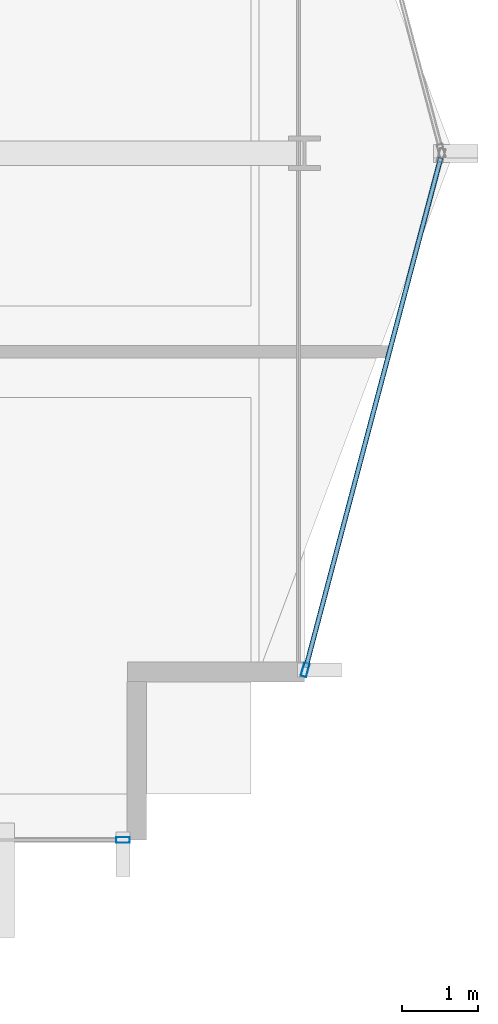
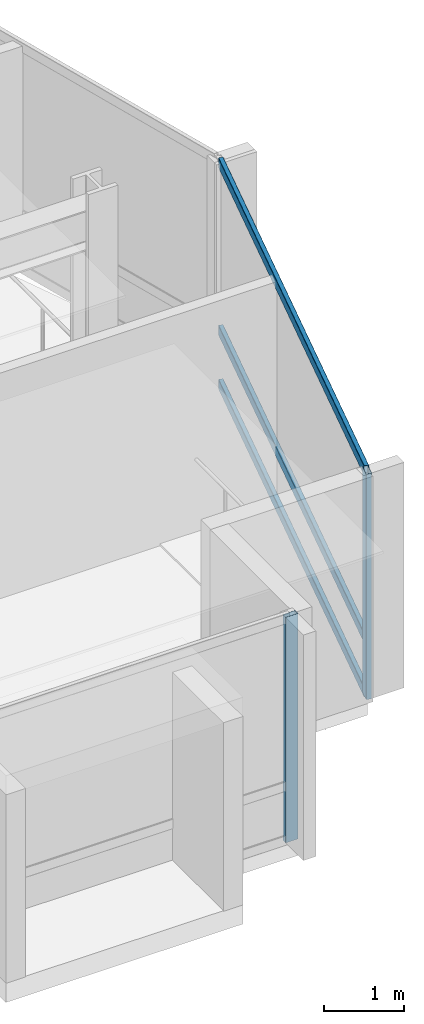
# One storey, part 11 of 28: 5 members, 2 elements without a shape of their own.
"""IFC4 building model written with IfcOpenShell, lengths in metres."""

from ifc_helpers import new_model, si_unit, direction, frame, origin, origin_2d, place, context, subcontext, project, spatial, hollow_rectangle, extrude, material, layer, layer_set, material_profile, profile_set, type_object, element, aggregate, save


model = new_model("IFC4")

# Units and contexts
model_context = context("Model", 3, precision=1e-05, world=origin(), true_north=direction((0.0, 1.0)))
body_context = subcontext(model_context, "Body", "Model", "MODEL_VIEW")
ifc_project = project(units=[si_unit("LENGTHUNIT", "METRE"), si_unit("AREAUNIT", "SQUARE_METRE"), si_unit("VOLUMEUNIT", "CUBIC_METRE"), si_unit("PLANEANGLEUNIT", "RADIAN"), si_unit("MASSUNIT", "GRAM", prefix="KILO")], contexts=[model_context])

# Site, building, storey
site_placement = place(None, origin())
site = spatial("IfcSite", under=ifc_project, at=site_placement, CompositionType="ELEMENT")
building_placement = place(site_placement, origin())
building = spatial("IfcBuilding", under=site, at=building_placement, Name="Solvaryn Broadcast Tower", CompositionType="ELEMENT")
storey_placement = place(building_placement, frame((0.0, 0.0, 110.0)))
storey = spatial("IfcBuildingStorey", under=building, at=storey_placement, Name="L26", CompositionType="ELEMENT", Elevation=110.0)

# Curtain wall, member
ifc_material_1 = material(Name="Aluminium and Terracotta Unitised Curtain Wall", Category="masonry")
ifc_layer = layer(ifc_material_1, 0.199951171875)
ifc_layer_set = layer_set([ifc_layer], Name="CW-SYS2-LOWMID")
curtain_wall_type = type_object("IfcCurtainWallType", Name="CW-SYS2-LOWMID", PredefinedType="NOTDEFINED", material=ifc_layer_set)
curtain_wall_1_placement = place(storey_placement, origin())
curtain_wall_1 = element("IfcCurtainWall", 1, at=curtain_wall_1_placement, inside=storey, type_object=curtain_wall_type, Name="L26 Curtain Wall S2", PredefinedType="NOTDEFINED")
ifc_material_2 = material(Name="Anodised Aluminium 6063-T6", Category="aluminium")
ifc_material_profile_1 = material_profile(ifc_material_2, hollow_rectangle(XDim=0.074951171875, YDim=0.179931640625, WallThickness=0.00390625, InnerFilletRadius=0.00390625, OuterFilletRadius=0.008056640625, at=origin_2d()))
ifc_profile_set_1 = profile_set([ifc_material_profile_1], Name="Anodised Aluminium 6063-T6")
member_type_1 = type_object("IfcMemberType", Name="CW-MUL-180", PredefinedType="MULLION", material=ifc_profile_set_1)
member_1_placement = place(storey_placement, frame((51.6201171875, 9.0, 0.0), z_axis=(0.0, 0.0, 1.0), x_axis=(0.0, 1.0, 0.0)))
member_1 = element("IfcMember", 2, at=member_1_placement, type_object=member_type_1, Name="CWS2 mullion 2", PredefinedType="MULLION", context=body_context, shape_type="SweptSolid", body=[
    extrude(hollow_rectangle(XDim=0.074951171875, YDim=0.179931640625, WallThickness=0.00390625, InnerFilletRadius=0.00390625, OuterFilletRadius=0.008056640625, at=origin_2d()), origin(), (0.0, 0.0, 1.0), 3.419921875),
])
aggregate(curtain_wall_1, [member_1])

# Curtain wall, members
curtain_wall_2_placement = place(storey_placement, origin())
curtain_wall_2 = element("IfcCurtainWall", 3, at=curtain_wall_2_placement, inside=storey, type_object=curtain_wall_type, Name="L26 Curtain Wall ET2", PredefinedType="NOTDEFINED")
member_2_placement = place(storey_placement, frame((54.007568359375, 11.22900390625, 0.0), z_axis=(0.0, 0.0, 1.0), x_axis=(0.966705227863, -0.25589256031, 0.0)))
member_2 = element("IfcMember", 4, at=member_2_placement, type_object=member_type_1, Name="CWS2 mullion 2", PredefinedType="MULLION", context=body_context, shape_type="SweptSolid", body=[
    extrude(hollow_rectangle(XDim=0.074951171875, YDim=0.179931640625, WallThickness=0.00390625, InnerFilletRadius=0.00390625, OuterFilletRadius=0.008056640625, at=origin_2d()), origin(), (0.0, 0.0, 1.0), 3.419921875),
])
ifc_material_3 = material(Name="Anodised Aluminium 6063-T6", Category="aluminium")
ifc_material_profile_2 = material_profile(ifc_material_3, hollow_rectangle(XDim=0.06494140625, YDim=0.14990234375, WallThickness=0.00390625, InnerFilletRadius=0.00390625, OuterFilletRadius=0.008056640625, at=origin_2d()))
ifc_profile_set_2 = profile_set([ifc_material_profile_2], Name="Anodised Aluminium 6063-T6")
member_type_2 = type_object("IfcMemberType", Name="CW-TRN-150", PredefinedType="USERDEFINED", material=ifc_profile_set_2)
member_3_placement = place(storey_placement, frame((55.78466796875, 17.94189453125, 0.030029296875), z_axis=(-0.255897413051, -0.966703943301, 0.0), x_axis=(0.966703943301, -0.255897413051, 0.0)))
member_3 = element("IfcMember", 5, at=member_3_placement, type_object=member_type_2, Name="CWS2 transom 1.1", ObjectType="TRANSOM", PredefinedType="USERDEFINED", context=body_context, shape_type="SweptSolid", body=[
    extrude(hollow_rectangle(XDim=0.06494140625, YDim=0.14990234375, WallThickness=0.00390625, InnerFilletRadius=0.00390625, OuterFilletRadius=0.008056640625, at=origin_2d()), origin(), (0.0, 0.0, 1.0), 6.9140625),
])
member_4_placement = place(storey_placement, frame((55.78466796875, 17.94189453125, 0.85009765625), z_axis=(-0.255897413051, -0.966703943301, 0.0), x_axis=(0.966703943301, -0.255897413051, 0.0)))
member_4 = element("IfcMember", 6, at=member_4_placement, type_object=member_type_2, Name="CWS2 transom 1.2", ObjectType="TRANSOM", PredefinedType="USERDEFINED", context=body_context, shape_type="SweptSolid", body=[
    extrude(hollow_rectangle(XDim=0.06494140625, YDim=0.14990234375, WallThickness=0.00390625, InnerFilletRadius=0.00390625, OuterFilletRadius=0.008056640625, at=origin_2d()), origin(), (0.0, 0.0, 1.0), 6.9140625),
])
member_5_placement = place(storey_placement, frame((55.78466796875, 17.94189453125, 3.389892578125), z_axis=(-0.255897413051, -0.966703943301, 0.0), x_axis=(0.966703943301, -0.255897413051, 0.0)))
member_5 = element("IfcMember", 7, at=member_5_placement, type_object=member_type_2, Name="CWS2 transom 1.3", ObjectType="TRANSOM", PredefinedType="USERDEFINED", context=body_context, shape_type="SweptSolid", body=[
    extrude(hollow_rectangle(XDim=0.06494140625, YDim=0.14990234375, WallThickness=0.00390625, InnerFilletRadius=0.00390625, OuterFilletRadius=0.008056640625, at=origin_2d()), origin(), (0.0, 0.0, 1.0), 6.9140625),
])
aggregate(curtain_wall_2, [member_2, member_3, member_4, member_5])

save(model, "model.ifc")
